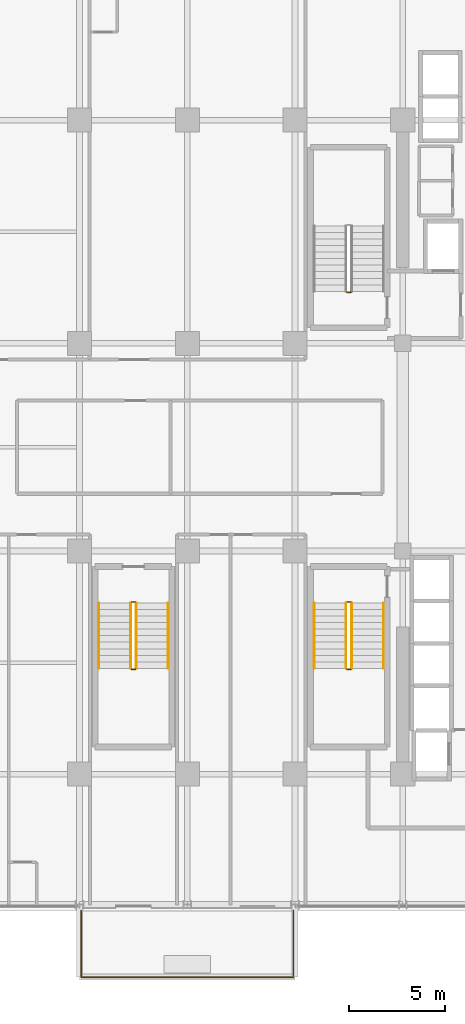
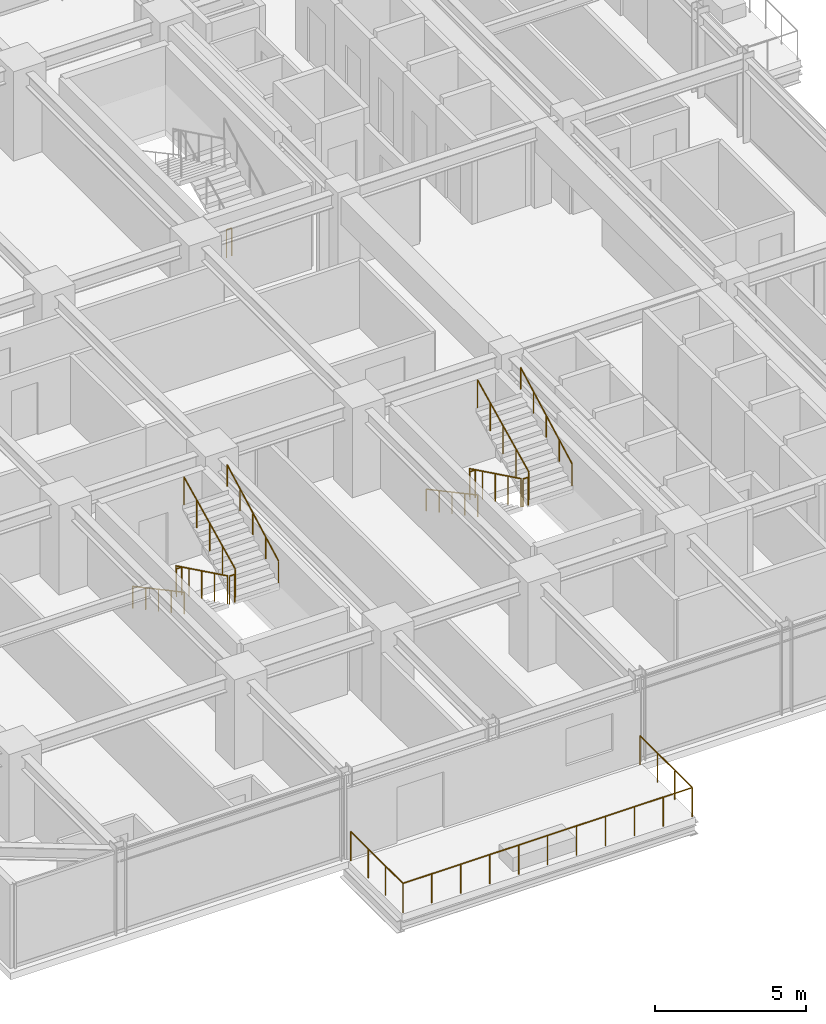
# One storey, part 31 of 33: 14 railings.
"""IFC4 building model written with IfcOpenShell, lengths in metres."""

import ifcopenshell
import ifcopenshell.guid

model = None  # the IFC model being written
_history = None  # IfcOwnerHistory: only IFC2X3 demands one
_inside = {}  # id of a spatial element -> (the spatial element, [elements in it])
_under = {}  # id of a project, library or spatial element -> (it, [spatial elements below it])
_declared = {}  # id of a project -> (the project, [libraries it declares])
_typed = {}  # id of a type object -> (the type object, [elements of that type])
_made_of = {}  # id of a material, layer set ... -> (it, [elements and type objects made of it])


def new_model(schema):
    """Start an empty IFC model of exactly this schema.

    Asked for "IFC4X3", IfcOpenShell would pick the latest addendum, in which some entities
    have other attributes; the version numbers below select the first issue.
    IFC2X3 requires an IfcOwnerHistory on every rooted entity: one is made here for all.
    """
    global model, _history
    if schema == "IFC4X3":
        model = ifcopenshell.file(schema_version=(4, 3, 0, 0))
    else:
        model = ifcopenshell.file(schema=schema)
    _inside.clear()
    _under.clear()
    _declared.clear()
    _typed.clear()
    _made_of.clear()
    _history = None
    if model.schema == "IFC2X3":
        org = make("IfcOrganization", Name="unknown")
        user = make(
            "IfcPersonAndOrganization",
            ThePerson=make("IfcPerson", FamilyName="unknown"),
            TheOrganization=org,
        )
        app = make(
            "IfcApplication",
            ApplicationDeveloper=org,
            Version="unknown",
            ApplicationFullName="unknown",
            ApplicationIdentifier="unknown",
        )
        _history = make(
            "IfcOwnerHistory",
            OwningUser=user,
            OwningApplication=app,
            ChangeAction="ADDED",
            CreationDate=0,
        )
    return model


def make(cls, **values):
    """One entity of the class cls with the attributes given. An attribute that is None is left unset."""
    return model.create_entity(
        cls, **{name: value for name, value in values.items() if value is not None}
    )


def rooted(cls, **values):
    """An entity with a GlobalId (a new one), such as an element, a storey or a relation."""
    return make(cls, GlobalId=ifcopenshell.guid.new(), OwnerHistory=_history, **values)


def si_unit(unit_type, name, prefix=None):
    """IfcSIUnit, for example si_unit("LENGTHUNIT", "METRE", prefix="MILLI")."""
    return make("IfcSIUnit", UnitType=unit_type, Prefix=prefix, Name=name)


def assignment(units):
    """IfcUnitAssignment: the units of a project."""
    return None if units is None else make("IfcUnitAssignment", Units=units)


def point(xyz):
    """IfcCartesianPoint."""
    return None if xyz is None else make("IfcCartesianPoint", Coordinates=xyz)


def direction(xyz):
    """IfcDirection."""
    return None if xyz is None else make("IfcDirection", DirectionRatios=xyz)


def frame(location, z_axis=None, x_axis=None):
    """IfcAxis2Placement3D, a coordinate frame: its origin and axes. An axis left out is left unset."""
    return make(
        "IfcAxis2Placement3D",
        Location=point(location),
        Axis=direction(z_axis),
        RefDirection=direction(x_axis),
    )


def frame_2d(location, x_axis=None):
    """IfcAxis2Placement2D, a coordinate frame in the plane: its origin and x axis."""
    return make(
        "IfcAxis2Placement2D", Location=point(location), RefDirection=direction(x_axis)
    )


def origin():
    """The frame at (0, 0, 0) with its axes left unset."""
    return frame((0.0, 0.0, 0.0))


def origin_2d():
    """The frame at (0, 0) in the plane with its x axis left unset."""
    return frame_2d((0.0, 0.0))


def place(relative_to, where):
    """IfcLocalPlacement: puts the frame where relative to a parent placement (None: the world)."""
    return make(
        "IfcLocalPlacement", PlacementRelTo=relative_to, RelativePlacement=where
    )


def context(
    kind, dimensions, precision=None, world=None, true_north=None, identifier=None
):
    """IfcGeometricRepresentationContext, for example the 3D "Model" context."""
    return make(
        "IfcGeometricRepresentationContext",
        ContextIdentifier=identifier,
        ContextType=kind,
        CoordinateSpaceDimension=dimensions,
        Precision=precision,
        WorldCoordinateSystem=world,
        TrueNorth=true_north,
    )


def subcontext(parent, identifier, kind, view, scale=None):
    """IfcGeometricRepresentationSubContext, for example "Body" below "Model"."""
    return make(
        "IfcGeometricRepresentationSubContext",
        ContextIdentifier=identifier,
        ContextType=kind,
        ParentContext=parent,
        TargetScale=scale,
        TargetView=view,
    )


def project(units=None, contexts=None):
    """IfcProject with its units and contexts."""
    return rooted(
        "IfcProject",
        Name="project",
        RepresentationContexts=contexts,
        UnitsInContext=assignment(units),
    )


def spatial(cls, under=None, at=None, **own):
    """A site, building, storey or space (cls), placed at a placement, below another one or the project."""
    s = rooted(cls, ObjectPlacement=at, **own)
    if under is not None:
        _under.setdefault(under.id(), (under, []))[1].append(s)
    return s


def profile(cls, at=None, kind="AREA", **sizes):
    """A parametric profile (cls). Its sizes go by their IFC names, for example OverallWidth=200.0."""
    return make(cls, ProfileType=kind, Position=at, **sizes)


def circle(**sizes):
    """IfcCircleProfileDef."""
    return profile("IfcCircleProfileDef", **sizes)


def extrude(swept, where, along, depth):
    """IfcExtrudedAreaSolid: the profile swept, set in the frame where, extruded along a direction by depth."""
    return make(
        "IfcExtrudedAreaSolid",
        SweptArea=swept,
        Position=where,
        ExtrudedDirection=direction(along),
        Depth=depth,
    )


def shape(context_of_items, identifier, shape_type, items):
    """IfcShapeRepresentation: the items that make up one representation, for example the "Body"."""
    return make(
        "IfcShapeRepresentation",
        ContextOfItems=context_of_items,
        RepresentationIdentifier=identifier,
        RepresentationType=shape_type,
        Items=items,
    )


def material(Name=None, Category=None):
    """IfcMaterial."""
    return make("IfcMaterial", Name=Name, Category=Category)


def made_of(thing, what):
    """Note that an element or type object is made of a material, layer set ...; save() writes the relation."""
    if what is not None:
        _made_of.setdefault(what.id(), (what, []))[1].append(thing)
    return thing


def type_object(cls, material=None, **own):
    """A type object (cls), such as IfcWallType, which elements share."""
    return made_of(rooted(cls, **own), material)


def element(
    cls,
    number,
    at=None,
    inside=None,
    cuts=None,
    type_object=None,
    material=None,
    context=None,
    identifier="Body",
    shape_type=None,
    held_by="IfcProductDefinitionShape",
    body=None,
    shapes=None,
    **own,
):
    """One element of the class cls, such as IfcWall. Its Tag is "e" and its number.

    at: its placement. inside: the storey or other place that contains it. cuts: it is an
    opening in that element (IfcRelVoidsElement). A single representation is given by context,
    identifier, shape_type and body (its items); several are given by shapes. held_by: the class
    of the entity that holds the representations. save() writes the other relations.
    """
    e = rooted(cls, Tag="e%d" % number, ObjectPlacement=at, **own)
    if body is not None:
        shapes = [shape(context, identifier, shape_type, body)]
    if shapes is not None:
        e.Representation = make(held_by, Representations=shapes)
    if inside is not None:
        _inside.setdefault(inside.id(), (inside, []))[1].append(e)
    if cuts is not None:
        rooted(
            "IfcRelVoidsElement", RelatingBuildingElement=cuts, RelatedOpeningElement=e
        )
    if type_object is not None:
        _typed.setdefault(type_object.id(), (type_object, []))[1].append(e)
    return made_of(e, material)


def aggregate(whole, parts):
    """IfcRelAggregates: a whole, such as a stair, and the parts it consists of."""
    return rooted("IfcRelAggregates", RelatingObject=whole, RelatedObjects=parts)


def save(model, path):
    """Write the relations noted so far, then the file.

    IfcRelAggregates (storeys below a building ...), IfcRelContainedInSpatialStructure (elements
    in a storey), IfcRelDefinesByType, IfcRelAssociatesMaterial and IfcRelDeclares: one each for
    every whole, place, type object, material and project.
    """
    for whole, parts in _under.values():
        aggregate(whole, parts)
    for where, things in _inside.values():
        rooted(
            "IfcRelContainedInSpatialStructure",
            RelatedElements=things,
            RelatingStructure=where,
        )
    for kind, things in _typed.values():
        rooted("IfcRelDefinesByType", RelatedObjects=things, RelatingType=kind)
    for what, things in _made_of.values():
        rooted("IfcRelAssociatesMaterial", RelatedObjects=things, RelatingMaterial=what)
    for by, libraries in _declared.values():
        rooted("IfcRelDeclares", RelatingContext=by, RelatedDefinitions=libraries)
    model.write(path)


model = new_model("IFC4")

# Units and contexts
model_context = context("Model", 3, precision=1e-05, world=origin(), true_north=direction((0.0, 1.0)))
body_context = subcontext(model_context, "Body", "Model", "MODEL_VIEW")
ifc_project = project(units=[si_unit("LENGTHUNIT", "METRE"), si_unit("AREAUNIT", "SQUARE_METRE"), si_unit("VOLUMEUNIT", "CUBIC_METRE"), si_unit("PLANEANGLEUNIT", "RADIAN"), si_unit("MASSUNIT", "GRAM", prefix="KILO")], contexts=[model_context])

# Site, building, storey
site_placement = place(None, origin())
site = spatial("IfcSite", under=ifc_project, at=site_placement, CompositionType="ELEMENT")
building_placement = place(site_placement, origin())
building = spatial("IfcBuilding", under=site, at=building_placement, Name="Nahalor Promenade Grand Hotel", CompositionType="ELEMENT")
storey_placement = place(building_placement, frame((0.0, 0.0, 117.5)))
storey = spatial("IfcBuildingStorey", under=building, at=storey_placement, Name="L29", CompositionType="ELEMENT", Elevation=117.5)

# Railings
ifc_material_1 = material(Name="Anodised Bronze Aluminium EN AW-6063 T6", Category="aluminium")
railing_type_1 = type_object("IfcRailingType", Name="Bronze Balcony Guardrail 1200 mm", PredefinedType="GUARDRAIL", material=ifc_material_1)
railing_1_placement = place(storey_placement, frame((-8.320068359375, -24.10009765625, 0.0)))
element("IfcRailing", 1, at=railing_1_placement, inside=storey, type_object=railing_type_1, Name="L29 Balcony Guardrail 1", PredefinedType="GUARDRAIL", context=body_context, shape_type="SweptSolid", body=[
    extrude(circle(Radius=0.024048, at=origin_2d()), frame((0.0, 0.0, 1.17578125), z_axis=(0.0, -1.0, 0.0), x_axis=(1.0, 0.0, 0.0)), (0.0, 0.0, 1.0), 3.447998046875),
    extrude(circle(Radius=0.024048, at=origin_2d()), frame((0.001953125, -3.449951171875, 1.17578125), z_axis=(1.0, 0.0, 0.0), x_axis=(0.0, 1.0, 0.0)), (0.0, 0.0, 1.0), 11.0361328125),
    extrude(circle(Radius=0.024048, at=origin_2d()), frame((11.0400390625, -3.447998046875, 1.17578125), z_axis=(0.0, 1.0, 0.0), x_axis=(-1.0, 0.0, 0.0)), (0.0, 0.0, 1.0), 3.447998046875),
    extrude(circle(Radius=0.020996, at=origin_2d()), origin(), (0.0, 0.0, 1.0), 1.14990234375),
    extrude(circle(Radius=0.020996, at=origin_2d()), frame((0.0, -1.14990234375, 0.0)), (0.0, 0.0, 1.0), 1.14990234375),
    extrude(circle(Radius=0.020996, at=origin_2d()), frame((0.0, -2.300048828125, 0.0)), (0.0, 0.0, 1.0), 1.14990234375),
    extrude(circle(Radius=0.020996, at=origin_2d()), frame((0.0, -3.449951171875, 0.0)), (0.0, 0.0, 1.0), 1.14990234375),
    extrude(circle(Radius=0.020996, at=origin_2d()), frame((1.10400390625, -3.449951171875, 0.0)), (0.0, 0.0, 1.0), 1.14990234375),
    extrude(circle(Radius=0.020996, at=origin_2d()), frame((2.2080078125, -3.449951171875, 0.0)), (0.0, 0.0, 1.0), 1.14990234375),
    extrude(circle(Radius=0.020996, at=origin_2d()), frame((3.31201171875, -3.449951171875, 0.0)), (0.0, 0.0, 1.0), 1.14990234375),
    extrude(circle(Radius=0.020996, at=origin_2d()), frame((4.416015625, -3.449951171875, 0.0)), (0.0, 0.0, 1.0), 1.14990234375),
    extrude(circle(Radius=0.020996, at=origin_2d()), frame((5.52001953125, -3.449951171875, 0.0)), (0.0, 0.0, 1.0), 1.14990234375),
    extrude(circle(Radius=0.020996, at=origin_2d()), frame((6.6240234375, -3.449951171875, 0.0)), (0.0, 0.0, 1.0), 1.14990234375),
    extrude(circle(Radius=0.020996, at=origin_2d()), frame((7.72802734375, -3.449951171875, 0.0)), (0.0, 0.0, 1.0), 1.14990234375),
    extrude(circle(Radius=0.020996, at=origin_2d()), frame((8.83203125, -3.449951171875, 0.0)), (0.0, 0.0, 1.0), 1.14990234375),
    extrude(circle(Radius=0.020996, at=origin_2d()), frame((9.93603515625, -3.449951171875, 0.0)), (0.0, 0.0, 1.0), 1.14990234375),
    extrude(circle(Radius=0.020996, at=origin_2d()), frame((11.0400390625, -3.449951171875, 0.0)), (0.0, 0.0, 1.0), 1.14990234375),
    extrude(circle(Radius=0.020996, at=origin_2d()), frame((11.0400390625, -2.300048828125, 0.0)), (0.0, 0.0, 1.0), 1.14990234375),
    extrude(circle(Radius=0.020996, at=origin_2d()), frame((11.0400390625, -1.14990234375, 0.0)), (0.0, 0.0, 1.0), 1.14990234375),
    extrude(circle(Radius=0.020996, at=origin_2d()), frame((11.0400390625, 0.0, 0.0)), (0.0, 0.0, 1.0), 1.14990234375),
])
ifc_material_2 = material(Name="Steel S355JR", Category="steel")
railing_type_2 = type_object("IfcRailingType", Name="Steel Stair Guardrail 1150 mm", PredefinedType="GUARDRAIL", material=ifc_material_2)
railing_2_placement = place(storey_placement, frame((5.699951171875, 8.050048828125, 0.0)))
element("IfcRailing", 2, at=railing_2_placement, inside=storey, type_object=railing_type_2, Name="L29 ST1 stair guard 4", PredefinedType="GUARDRAIL", context=body_context, shape_type="SweptSolid", body=[
    extrude(circle(Radius=0.024048, at=origin_2d()), frame((0.0, 0.0, 1.1259765625), z_axis=(-1.0, 0.0, 0.0), x_axis=(0.0, -1.0, 0.0)), (0.0, 0.0, 1.0), 0.199951171875),
    extrude(circle(Radius=0.020996, at=origin_2d()), origin(), (0.0, 0.0, 1.0), 1.099853515625),
    extrude(circle(Radius=0.020996, at=origin_2d()), frame((-0.199951171875, 0.0, 0.0)), (0.0, 0.0, 1.0), 1.099853515625),
])
railing_3_placement = place(storey_placement, frame((5.449951171875, -8.10009765625, 0.166015625)))
element("IfcRailing", 3, at=railing_3_placement, inside=storey, type_object=railing_type_2, Name="L29 ST2 stair guard 1", PredefinedType="GUARDRAIL", context=body_context, shape_type="SweptSolid", body=[
    extrude(circle(Radius=0.024048, at=origin_2d()), frame((0.0, 0.0, 1.1259765625), z_axis=(0.0, -0.898721922897, 0.438518990814), x_axis=(1.0, 0.0, 0.0)), (0.0, 0.0, 1.0), 3.782958984375),
    extrude(circle(Radius=0.020996, at=origin_2d()), origin(), (0.0, 0.0, 1.0), 1.099853515625),
    extrude(circle(Radius=0.020996, at=origin_2d()), frame((0.0, -0.85009765625, 0.414794921875)), (0.0, 0.0, 1.0), 1.099853515625),
    extrude(circle(Radius=0.020996, at=origin_2d()), frame((0.0, -1.699951171875, 0.82958984375)), (0.0, 0.0, 1.0), 1.099853515625),
    extrude(circle(Radius=0.020996, at=origin_2d()), frame((0.0, -2.5498046875, 1.244140625)), (0.0, 0.0, 1.0), 1.099853515625),
    extrude(circle(Radius=0.020996, at=origin_2d()), frame((0.0, -3.39990234375, 1.658935546875)), (0.0, 0.0, 1.0), 1.099853515625),
])
railing_4_placement = place(storey_placement, frame((5.5, -11.550048828125, 1.824951171875)))
element("IfcRailing", 4, at=railing_4_placement, inside=storey, type_object=railing_type_2, Name="L29 ST2 stair guard 2", PredefinedType="GUARDRAIL", context=body_context, shape_type="SweptSolid", body=[
    extrude(circle(Radius=0.024048, at=origin_2d()), frame((0.0, 0.0, 1.1259765625), z_axis=(1.0, 0.0, 0.0), x_axis=(0.0, 1.0, 0.0)), (0.0, 0.0, 1.0), 0.199951171875),
    extrude(circle(Radius=0.020996, at=origin_2d()), origin(), (0.0, 0.0, 1.0), 1.099853515625),
    extrude(circle(Radius=0.020996, at=origin_2d()), frame((0.199951171875, 0.0, 0.0)), (0.0, 0.0, 1.0), 1.099853515625),
])
railing_5_placement = place(storey_placement, frame((5.75, -11.5, 1.990966796875)))
element("IfcRailing", 5, at=railing_5_placement, inside=storey, type_object=railing_type_2, Name="L29 ST2 stair guard 3", PredefinedType="GUARDRAIL", context=body_context, shape_type="SweptSolid", body=[
    extrude(circle(Radius=0.024048, at=origin_2d()), frame((0.0, 0.0, 1.1259765625), z_axis=(0.0, 0.898721922897, 0.438518990814), x_axis=(-1.0, 0.0, 0.0)), (0.0, 0.0, 1.0), 3.782958984375),
    extrude(circle(Radius=0.020996, at=origin_2d()), origin(), (0.0, 0.0, 1.0), 1.099853515625),
    extrude(circle(Radius=0.020996, at=origin_2d()), frame((0.0, 0.85009765625, 0.414794921875)), (0.0, 0.0, 1.0), 1.099853515625),
    extrude(circle(Radius=0.020996, at=origin_2d()), frame((0.0, 1.699951171875, 0.82958984375)), (0.0, 0.0, 1.0), 1.099853515625),
    extrude(circle(Radius=0.020996, at=origin_2d()), frame((0.0, 2.5498046875, 1.244140625)), (0.0, 0.0, 1.0), 1.099853515625),
    extrude(circle(Radius=0.020996, at=origin_2d()), frame((0.0, 3.39990234375, 1.658935546875)), (0.0, 0.0, 1.0), 1.099853515625),
])
railing_6_placement = place(storey_placement, frame((5.5, -8.050048828125, 0.0)))
element("IfcRailing", 6, at=railing_6_placement, inside=storey, type_object=railing_type_2, Name="L29 ST2 stair guard 4", PredefinedType="GUARDRAIL", context=body_context, shape_type="SweptSolid", body=[
    extrude(circle(Radius=0.024048, at=origin_2d()), frame((0.0, 0.0, 1.1259765625), z_axis=(1.0, 0.0, 0.0), x_axis=(0.0, 1.0, 0.0)), (0.0, 0.0, 1.0), 0.199951171875),
    extrude(circle(Radius=0.020996, at=origin_2d()), origin(), (0.0, 0.0, 1.0), 1.099853515625),
    extrude(circle(Radius=0.020996, at=origin_2d()), frame((0.199951171875, 0.0, 0.0)), (0.0, 0.0, 1.0), 1.099853515625),
])
railing_7_placement = place(storey_placement, frame((-5.75, -8.10009765625, 0.166015625)))
element("IfcRailing", 7, at=railing_7_placement, inside=storey, type_object=railing_type_2, Name="L29 ST3 stair guard 1", PredefinedType="GUARDRAIL", context=body_context, shape_type="SweptSolid", body=[
    extrude(circle(Radius=0.024048, at=origin_2d()), frame((0.0, 0.0, 1.1259765625), z_axis=(0.0, -0.898721922897, 0.438518990814), x_axis=(1.0, 0.0, 0.0)), (0.0, 0.0, 1.0), 3.782958984375),
    extrude(circle(Radius=0.020996, at=origin_2d()), origin(), (0.0, 0.0, 1.0), 1.099853515625),
    extrude(circle(Radius=0.020996, at=origin_2d()), frame((0.0, -0.85009765625, 0.414794921875)), (0.0, 0.0, 1.0), 1.099853515625),
    extrude(circle(Radius=0.020996, at=origin_2d()), frame((0.0, -1.699951171875, 0.82958984375)), (0.0, 0.0, 1.0), 1.099853515625),
    extrude(circle(Radius=0.020996, at=origin_2d()), frame((0.0, -2.5498046875, 1.244140625)), (0.0, 0.0, 1.0), 1.099853515625),
    extrude(circle(Radius=0.020996, at=origin_2d()), frame((0.0, -3.39990234375, 1.658935546875)), (0.0, 0.0, 1.0), 1.099853515625),
])
railing_8_placement = place(storey_placement, frame((-5.699951171875, -11.550048828125, 1.824951171875)))
element("IfcRailing", 8, at=railing_8_placement, inside=storey, type_object=railing_type_2, Name="L29 ST3 stair guard 2", PredefinedType="GUARDRAIL", context=body_context, shape_type="SweptSolid", body=[
    extrude(circle(Radius=0.024048, at=origin_2d()), frame((0.0, 0.0, 1.1259765625), z_axis=(1.0, 0.0, 0.0), x_axis=(0.0, 1.0, 0.0)), (0.0, 0.0, 1.0), 0.199951171875),
    extrude(circle(Radius=0.020996, at=origin_2d()), origin(), (0.0, 0.0, 1.0), 1.099853515625),
    extrude(circle(Radius=0.020996, at=origin_2d()), frame((0.199951171875, 0.0, 0.0)), (0.0, 0.0, 1.0), 1.099853515625),
])
railing_9_placement = place(storey_placement, frame((-5.449951171875, -11.5, 1.990966796875)))
element("IfcRailing", 9, at=railing_9_placement, inside=storey, type_object=railing_type_2, Name="L29 ST3 stair guard 3", PredefinedType="GUARDRAIL", context=body_context, shape_type="SweptSolid", body=[
    extrude(circle(Radius=0.024048, at=origin_2d()), frame((0.0, 0.0, 1.1259765625), z_axis=(0.0, 0.898721922897, 0.438518990814), x_axis=(-1.0, 0.0, 0.0)), (0.0, 0.0, 1.0), 3.782958984375),
    extrude(circle(Radius=0.020996, at=origin_2d()), origin(), (0.0, 0.0, 1.0), 1.099853515625),
    extrude(circle(Radius=0.020996, at=origin_2d()), frame((0.0, 0.85009765625, 0.414794921875)), (0.0, 0.0, 1.0), 1.099853515625),
    extrude(circle(Radius=0.020996, at=origin_2d()), frame((0.0, 1.699951171875, 0.82958984375)), (0.0, 0.0, 1.0), 1.099853515625),
    extrude(circle(Radius=0.020996, at=origin_2d()), frame((0.0, 2.5498046875, 1.244140625)), (0.0, 0.0, 1.0), 1.099853515625),
    extrude(circle(Radius=0.020996, at=origin_2d()), frame((0.0, 3.39990234375, 1.658935546875)), (0.0, 0.0, 1.0), 1.099853515625),
])
railing_10_placement = place(storey_placement, frame((-5.699951171875, -8.050048828125, 0.0)))
element("IfcRailing", 10, at=railing_10_placement, inside=storey, type_object=railing_type_2, Name="L29 ST3 stair guard 4", PredefinedType="GUARDRAIL", context=body_context, shape_type="SweptSolid", body=[
    extrude(circle(Radius=0.024048, at=origin_2d()), frame((0.0, 0.0, 1.1259765625), z_axis=(1.0, 0.0, 0.0), x_axis=(0.0, 1.0, 0.0)), (0.0, 0.0, 1.0), 0.199951171875),
    extrude(circle(Radius=0.020996, at=origin_2d()), origin(), (0.0, 0.0, 1.0), 1.099853515625),
    extrude(circle(Radius=0.020996, at=origin_2d()), frame((0.199951171875, 0.0, 0.0)), (0.0, 0.0, 1.0), 1.099853515625),
])
railing_type_3 = type_object("IfcRailingType", Name="Steel Stair Handrail 900 mm", PredefinedType="HANDRAIL", material=ifc_material_2)
railing_11_placement = place(storey_placement, frame((3.800048828125, -8.10009765625, 0.166015625)))
element("IfcRailing", 11, at=railing_11_placement, inside=storey, type_object=railing_type_3, Name="L29 ST2 stair handrail 1", PredefinedType="HANDRAIL", context=body_context, shape_type="SweptSolid", body=[
    extrude(circle(Radius=0.024048, at=origin_2d()), frame((0.0, 0.0, 0.8759765625), z_axis=(0.0, -0.881094038095, 0.47294111265), x_axis=(1.0, 0.0, 0.0)), (0.0, 0.0, 1.0), 3.858642578125),
    extrude(circle(Radius=0.020996, at=origin_2d()), origin(), (0.0, 0.0, 1.0), 0.849853515625),
    extrude(circle(Radius=0.020996, at=origin_2d()), frame((0.0, -0.85009765625, 0.456298828125)), (0.0, 0.0, 1.0), 0.849853515625),
    extrude(circle(Radius=0.020996, at=origin_2d()), frame((0.0, -1.699951171875, 0.91259765625)), (0.0, 0.0, 1.0), 0.849853515625),
    extrude(circle(Radius=0.020996, at=origin_2d()), frame((0.0, -2.5498046875, 1.36865234375)), (0.0, 0.0, 1.0), 0.849853515625),
    extrude(circle(Radius=0.020996, at=origin_2d()), frame((0.0, -3.39990234375, 1.824951171875)), (0.0, 0.0, 1.0), 0.849853515625),
])
railing_12_placement = place(storey_placement, frame((7.39990234375, -11.5, 1.990966796875)))
element("IfcRailing", 12, at=railing_12_placement, inside=storey, type_object=railing_type_3, Name="L29 ST2 stair handrail 2", PredefinedType="HANDRAIL", context=body_context, shape_type="SweptSolid", body=[
    extrude(circle(Radius=0.024048, at=origin_2d()), frame((0.0, 0.0, 0.8759765625), z_axis=(0.0, 0.881094038095, 0.47294111265), x_axis=(-1.0, 0.0, 0.0)), (0.0, 0.0, 1.0), 3.858642578125),
    extrude(circle(Radius=0.020996, at=origin_2d()), origin(), (0.0, 0.0, 1.0), 0.849853515625),
    extrude(circle(Radius=0.020996, at=origin_2d()), frame((0.0, 0.85009765625, 0.456298828125)), (0.0, 0.0, 1.0), 0.849853515625),
    extrude(circle(Radius=0.020996, at=origin_2d()), frame((0.0, 1.699951171875, 0.91259765625)), (0.0, 0.0, 1.0), 0.849853515625),
    extrude(circle(Radius=0.020996, at=origin_2d()), frame((0.0, 2.5498046875, 1.36865234375)), (0.0, 0.0, 1.0), 0.849853515625),
    extrude(circle(Radius=0.020996, at=origin_2d()), frame((0.0, 3.39990234375, 1.824951171875)), (0.0, 0.0, 1.0), 0.849853515625),
])
railing_13_placement = place(storey_placement, frame((-7.39990234375, -8.10009765625, 0.166015625)))
element("IfcRailing", 13, at=railing_13_placement, inside=storey, type_object=railing_type_3, Name="L29 ST3 stair handrail 1", PredefinedType="HANDRAIL", context=body_context, shape_type="SweptSolid", body=[
    extrude(circle(Radius=0.024048, at=origin_2d()), frame((0.0, 0.0, 0.8759765625), z_axis=(0.0, -0.881094038095, 0.47294111265), x_axis=(1.0, 0.0, 0.0)), (0.0, 0.0, 1.0), 3.858642578125),
    extrude(circle(Radius=0.020996, at=origin_2d()), origin(), (0.0, 0.0, 1.0), 0.849853515625),
    extrude(circle(Radius=0.020996, at=origin_2d()), frame((0.0, -0.85009765625, 0.456298828125)), (0.0, 0.0, 1.0), 0.849853515625),
    extrude(circle(Radius=0.020996, at=origin_2d()), frame((0.0, -1.699951171875, 0.91259765625)), (0.0, 0.0, 1.0), 0.849853515625),
    extrude(circle(Radius=0.020996, at=origin_2d()), frame((0.0, -2.5498046875, 1.36865234375)), (0.0, 0.0, 1.0), 0.849853515625),
    extrude(circle(Radius=0.020996, at=origin_2d()), frame((0.0, -3.39990234375, 1.824951171875)), (0.0, 0.0, 1.0), 0.849853515625),
])
railing_14_placement = place(storey_placement, frame((-3.800048828125, -11.5, 1.990966796875)))
element("IfcRailing", 14, at=railing_14_placement, inside=storey, type_object=railing_type_3, Name="L29 ST3 stair handrail 2", PredefinedType="HANDRAIL", context=body_context, shape_type="SweptSolid", body=[
    extrude(circle(Radius=0.024048, at=origin_2d()), frame((0.0, 0.0, 0.8759765625), z_axis=(0.0, 0.881094038095, 0.47294111265), x_axis=(-1.0, 0.0, 0.0)), (0.0, 0.0, 1.0), 3.858642578125),
    extrude(circle(Radius=0.020996, at=origin_2d()), origin(), (0.0, 0.0, 1.0), 0.849853515625),
    extrude(circle(Radius=0.020996, at=origin_2d()), frame((0.0, 0.85009765625, 0.456298828125)), (0.0, 0.0, 1.0), 0.849853515625),
    extrude(circle(Radius=0.020996, at=origin_2d()), frame((0.0, 1.699951171875, 0.91259765625)), (0.0, 0.0, 1.0), 0.849853515625),
    extrude(circle(Radius=0.020996, at=origin_2d()), frame((0.0, 2.5498046875, 1.36865234375)), (0.0, 0.0, 1.0), 0.849853515625),
    extrude(circle(Radius=0.020996, at=origin_2d()), frame((0.0, 3.39990234375, 1.824951171875)), (0.0, 0.0, 1.0), 0.849853515625),
])

save(model, "model.ifc")
